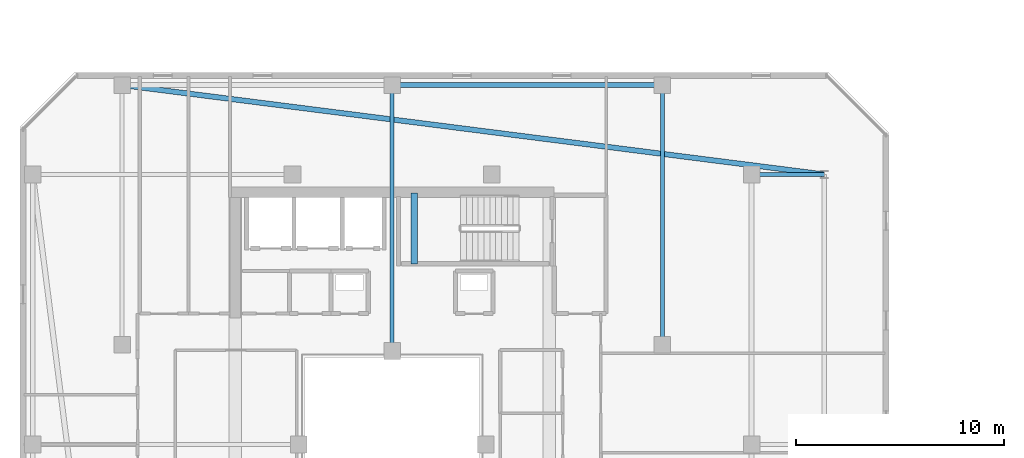
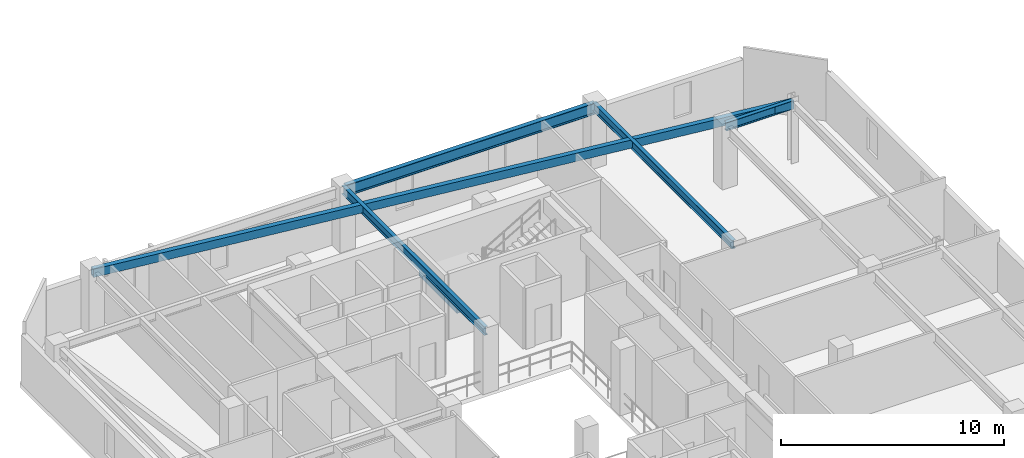
# One storey, part 11 of 35: 6 beams.
"""IFC4 building model written with IfcOpenShell, lengths in metres."""

import ifcopenshell
import ifcopenshell.guid

model = None  # the IFC model being written
_history = None  # IfcOwnerHistory: only IFC2X3 demands one
_inside = {}  # id of a spatial element -> (the spatial element, [elements in it])
_under = {}  # id of a project, library or spatial element -> (it, [spatial elements below it])
_declared = {}  # id of a project -> (the project, [libraries it declares])
_typed = {}  # id of a type object -> (the type object, [elements of that type])
_made_of = {}  # id of a material, layer set ... -> (it, [elements and type objects made of it])


def new_model(schema):
    """Start an empty IFC model of exactly this schema.

    Asked for "IFC4X3", IfcOpenShell would pick the latest addendum, in which some entities
    have other attributes; the version numbers below select the first issue.
    IFC2X3 requires an IfcOwnerHistory on every rooted entity: one is made here for all.
    """
    global model, _history
    if schema == "IFC4X3":
        model = ifcopenshell.file(schema_version=(4, 3, 0, 0))
    else:
        model = ifcopenshell.file(schema=schema)
    _inside.clear()
    _under.clear()
    _declared.clear()
    _typed.clear()
    _made_of.clear()
    _history = None
    if model.schema == "IFC2X3":
        org = make("IfcOrganization", Name="unknown")
        user = make(
            "IfcPersonAndOrganization",
            ThePerson=make("IfcPerson", FamilyName="unknown"),
            TheOrganization=org,
        )
        app = make(
            "IfcApplication",
            ApplicationDeveloper=org,
            Version="unknown",
            ApplicationFullName="unknown",
            ApplicationIdentifier="unknown",
        )
        _history = make(
            "IfcOwnerHistory",
            OwningUser=user,
            OwningApplication=app,
            ChangeAction="ADDED",
            CreationDate=0,
        )
    return model


def make(cls, **values):
    """One entity of the class cls with the attributes given. An attribute that is None is left unset."""
    return model.create_entity(
        cls, **{name: value for name, value in values.items() if value is not None}
    )


def rooted(cls, **values):
    """An entity with a GlobalId (a new one), such as an element, a storey or a relation."""
    return make(cls, GlobalId=ifcopenshell.guid.new(), OwnerHistory=_history, **values)


def si_unit(unit_type, name, prefix=None):
    """IfcSIUnit, for example si_unit("LENGTHUNIT", "METRE", prefix="MILLI")."""
    return make("IfcSIUnit", UnitType=unit_type, Prefix=prefix, Name=name)


def assignment(units):
    """IfcUnitAssignment: the units of a project."""
    return None if units is None else make("IfcUnitAssignment", Units=units)


def point(xyz):
    """IfcCartesianPoint."""
    return None if xyz is None else make("IfcCartesianPoint", Coordinates=xyz)


def direction(xyz):
    """IfcDirection."""
    return None if xyz is None else make("IfcDirection", DirectionRatios=xyz)


def frame(location, z_axis=None, x_axis=None):
    """IfcAxis2Placement3D, a coordinate frame: its origin and axes. An axis left out is left unset."""
    return make(
        "IfcAxis2Placement3D",
        Location=point(location),
        Axis=direction(z_axis),
        RefDirection=direction(x_axis),
    )


def frame_2d(location, x_axis=None):
    """IfcAxis2Placement2D, a coordinate frame in the plane: its origin and x axis."""
    return make(
        "IfcAxis2Placement2D", Location=point(location), RefDirection=direction(x_axis)
    )


def origin():
    """The frame at (0, 0, 0) with its axes left unset."""
    return frame((0.0, 0.0, 0.0))


def origin_2d():
    """The frame at (0, 0) in the plane with its x axis left unset."""
    return frame_2d((0.0, 0.0))


def place(relative_to, where):
    """IfcLocalPlacement: puts the frame where relative to a parent placement (None: the world)."""
    return make(
        "IfcLocalPlacement", PlacementRelTo=relative_to, RelativePlacement=where
    )


def context(
    kind, dimensions, precision=None, world=None, true_north=None, identifier=None
):
    """IfcGeometricRepresentationContext, for example the 3D "Model" context."""
    return make(
        "IfcGeometricRepresentationContext",
        ContextIdentifier=identifier,
        ContextType=kind,
        CoordinateSpaceDimension=dimensions,
        Precision=precision,
        WorldCoordinateSystem=world,
        TrueNorth=true_north,
    )


def subcontext(parent, identifier, kind, view, scale=None):
    """IfcGeometricRepresentationSubContext, for example "Body" below "Model"."""
    return make(
        "IfcGeometricRepresentationSubContext",
        ContextIdentifier=identifier,
        ContextType=kind,
        ParentContext=parent,
        TargetScale=scale,
        TargetView=view,
    )


def project(units=None, contexts=None):
    """IfcProject with its units and contexts."""
    return rooted(
        "IfcProject",
        Name="project",
        RepresentationContexts=contexts,
        UnitsInContext=assignment(units),
    )


def spatial(cls, under=None, at=None, **own):
    """A site, building, storey or space (cls), placed at a placement, below another one or the project."""
    s = rooted(cls, ObjectPlacement=at, **own)
    if under is not None:
        _under.setdefault(under.id(), (under, []))[1].append(s)
    return s


def profile(cls, at=None, kind="AREA", **sizes):
    """A parametric profile (cls). Its sizes go by their IFC names, for example OverallWidth=200.0."""
    return make(cls, ProfileType=kind, Position=at, **sizes)


def rectangle(**sizes):
    """IfcRectangleProfileDef."""
    return profile("IfcRectangleProfileDef", **sizes)


def hollow_rectangle(**sizes):
    """IfcRectangleHollowProfileDef."""
    return profile("IfcRectangleHollowProfileDef", **sizes)


def i_section(**sizes):
    """IfcIShapeProfileDef."""
    return profile("IfcIShapeProfileDef", **sizes)


def extrude(swept, where, along, depth):
    """IfcExtrudedAreaSolid: the profile swept, set in the frame where, extruded along a direction by depth."""
    return make(
        "IfcExtrudedAreaSolid",
        SweptArea=swept,
        Position=where,
        ExtrudedDirection=direction(along),
        Depth=depth,
    )


def shape(context_of_items, identifier, shape_type, items):
    """IfcShapeRepresentation: the items that make up one representation, for example the "Body"."""
    return make(
        "IfcShapeRepresentation",
        ContextOfItems=context_of_items,
        RepresentationIdentifier=identifier,
        RepresentationType=shape_type,
        Items=items,
    )


def material(Name=None, Category=None):
    """IfcMaterial."""
    return make("IfcMaterial", Name=Name, Category=Category)


def material_profile(
    of_material, cross_section, Name=None, Category=None, Priority=None
):
    """IfcMaterialProfile: a cross section and its material."""
    return make(
        "IfcMaterialProfile",
        Name=Name,
        Material=of_material,
        Profile=cross_section,
        Priority=Priority,
        Category=Category,
    )


def profile_set(profiles, Name=None, composite=None):
    """IfcMaterialProfileSet."""
    return make(
        "IfcMaterialProfileSet",
        Name=Name,
        MaterialProfiles=profiles,
        CompositeProfile=composite,
    )


def made_of(thing, what):
    """Note that an element or type object is made of a material, layer set ...; save() writes the relation."""
    if what is not None:
        _made_of.setdefault(what.id(), (what, []))[1].append(thing)
    return thing


def type_object(cls, material=None, **own):
    """A type object (cls), such as IfcWallType, which elements share."""
    return made_of(rooted(cls, **own), material)


def element(
    cls,
    number,
    at=None,
    inside=None,
    cuts=None,
    type_object=None,
    material=None,
    context=None,
    identifier="Body",
    shape_type=None,
    held_by="IfcProductDefinitionShape",
    body=None,
    shapes=None,
    **own,
):
    """One element of the class cls, such as IfcWall. Its Tag is "e" and its number.

    at: its placement. inside: the storey or other place that contains it. cuts: it is an
    opening in that element (IfcRelVoidsElement). A single representation is given by context,
    identifier, shape_type and body (its items); several are given by shapes. held_by: the class
    of the entity that holds the representations. save() writes the other relations.
    """
    e = rooted(cls, Tag="e%d" % number, ObjectPlacement=at, **own)
    if body is not None:
        shapes = [shape(context, identifier, shape_type, body)]
    if shapes is not None:
        e.Representation = make(held_by, Representations=shapes)
    if inside is not None:
        _inside.setdefault(inside.id(), (inside, []))[1].append(e)
    if cuts is not None:
        rooted(
            "IfcRelVoidsElement", RelatingBuildingElement=cuts, RelatedOpeningElement=e
        )
    if type_object is not None:
        _typed.setdefault(type_object.id(), (type_object, []))[1].append(e)
    return made_of(e, material)


def aggregate(whole, parts):
    """IfcRelAggregates: a whole, such as a stair, and the parts it consists of."""
    return rooted("IfcRelAggregates", RelatingObject=whole, RelatedObjects=parts)


def save(model, path):
    """Write the relations noted so far, then the file.

    IfcRelAggregates (storeys below a building ...), IfcRelContainedInSpatialStructure (elements
    in a storey), IfcRelDefinesByType, IfcRelAssociatesMaterial and IfcRelDeclares: one each for
    every whole, place, type object, material and project.
    """
    for whole, parts in _under.values():
        aggregate(whole, parts)
    for where, things in _inside.values():
        rooted(
            "IfcRelContainedInSpatialStructure",
            RelatedElements=things,
            RelatingStructure=where,
        )
    for kind, things in _typed.values():
        rooted("IfcRelDefinesByType", RelatedObjects=things, RelatingType=kind)
    for what, things in _made_of.values():
        rooted("IfcRelAssociatesMaterial", RelatedObjects=things, RelatingMaterial=what)
    for by, libraries in _declared.values():
        rooted("IfcRelDeclares", RelatingContext=by, RelatedDefinitions=libraries)
    model.write(path)


model = new_model("IFC4")

# Units and contexts
model_context = context("Model", 3, precision=1e-05, world=origin(), true_north=direction((0.0, 1.0)))
body_context = subcontext(model_context, "Body", "Model", "MODEL_VIEW")
ifc_project = project(units=[si_unit("LENGTHUNIT", "METRE"), si_unit("AREAUNIT", "SQUARE_METRE"), si_unit("VOLUMEUNIT", "CUBIC_METRE"), si_unit("PLANEANGLEUNIT", "RADIAN"), si_unit("MASSUNIT", "GRAM", prefix="KILO")], contexts=[model_context])

# Site, building, storey
site_placement = place(None, origin())
site = spatial("IfcSite", under=ifc_project, at=site_placement, CompositionType="ELEMENT")
building_placement = place(site_placement, origin())
building = spatial("IfcBuilding", under=site, at=building_placement, Name="Thornwick Lancets Civic Towers", CompositionType="ELEMENT")
storey_placement = place(building_placement, frame((0.0, 0.0, 272.699951171875)))
storey = spatial("IfcBuildingStorey", under=building, at=storey_placement, Name="L73", CompositionType="ELEMENT", Elevation=272.699951171875)

# Beams
ifc_material_1 = material(Name="Steel S355JR", Category="steel")
ifc_material_profile_1 = material_profile(ifc_material_1, i_section(OverallWidth=0.230224609375, OverallDepth=0.6171875, WebThickness=0.01318359375, FlangeThickness=0.022216796875, FilletRadius=0.0126953125, at=origin_2d()), Name="UKB 610x229x140")
ifc_profile_set_1 = profile_set([ifc_material_profile_1], Name="Steel S355JR")
beam_type_1 = type_object("IfcBeamType", Name="BM_GIRD_610_140", PredefinedType="BEAM", material=ifc_profile_set_1)
beam_1_placement = place(storey_placement, frame((25.580078125, 44.300048828125, 3.051513671875), z_axis=(1.0, 0.0, 0.0), x_axis=(0.0, 1.0, 0.0)))
element("IfcBeam", 1, at=beam_1_placement, inside=storey, type_object=beam_type_1, Name="BM-SPINE-L73-A-7-8", PredefinedType="BEAM", context=body_context, shape_type="SweptSolid", body=[
    extrude(i_section(OverallWidth=0.230224609375, OverallDepth=0.6171875, WebThickness=0.01318359375, FlangeThickness=0.022216796875, FilletRadius=0.0126953125, at=origin_2d()), origin(), (0.0, 0.0, 1.0), 12.919921875),
])
ifc_material_profile_2 = material_profile(ifc_material_1, i_section(OverallWidth=0.19189453125, OverallDepth=0.46337890625, WebThickness=0.010498046875, FlangeThickness=0.017578125, FilletRadius=0.01025390625, at=origin_2d()), Name="UKB 457x191x89")
ifc_profile_set_2 = profile_set([ifc_material_profile_2], Name="Steel S355JR")
beam_type_2 = type_object("IfcBeamType", Name="BM_JOIST_457_89", PredefinedType="JOIST", material=ifc_profile_set_2)
beam_2_placement = place(storey_placement, frame((42.800048828125, 40.0, 3.12841796875), z_axis=(1.0, 0.0, 0.0), x_axis=(0.0, 1.0, 0.0)))
element("IfcBeam", 2, at=beam_2_placement, inside=storey, type_object=beam_type_2, Name="BM-RAD-L73-A06", PredefinedType="JOIST", context=body_context, shape_type="SweptSolid", body=[
    extrude(i_section(OverallWidth=0.19189453125, OverallDepth=0.46337890625, WebThickness=0.010498046875, FlangeThickness=0.017578125, FilletRadius=0.01025390625, at=origin_2d()), origin(), (0.0, 0.0, 1.0), 3.5),
])
beam_3_placement = place(storey_placement, frame((25.5, 31.5, 3.12841796875), z_axis=(0.0, 1.0, 0.0), x_axis=(-1.0, 0.0, 0.0)))
element("IfcBeam", 3, at=beam_3_placement, inside=storey, type_object=beam_type_2, Name="BM-RADIN-L73-A08", PredefinedType="JOIST", context=body_context, shape_type="SweptSolid", body=[
    extrude(i_section(OverallWidth=0.19189453125, OverallDepth=0.46337890625, WebThickness=0.010498046875, FlangeThickness=0.017578125, FilletRadius=0.01025390625, at=origin_2d()), origin(), (0.0, 0.0, 1.0), 12.800048828125),
])
beam_4_placement = place(storey_placement, frame((38.5, 31.800048828125, 3.12841796875), z_axis=(0.0, 1.0, 0.0), x_axis=(-1.0, 0.0, 0.0)))
element("IfcBeam", 4, at=beam_4_placement, inside=storey, type_object=beam_type_2, Name="BM-RADIN-L73-A09", PredefinedType="JOIST", context=body_context, shape_type="SweptSolid", body=[
    extrude(i_section(OverallWidth=0.19189453125, OverallDepth=0.46337890625, WebThickness=0.010498046875, FlangeThickness=0.017578125, FilletRadius=0.01025390625, at=origin_2d()), origin(), (0.0, 0.0, 1.0), 12.5),
])
ifc_material_profile_3 = material_profile(ifc_material_1, hollow_rectangle(XDim=0.25, YDim=0.449951171875, WallThickness=0.01611328125, at=origin_2d()), Name="RHS 450x250x16")
ifc_profile_set_3 = profile_set([ifc_material_profile_3], Name="Steel S355JR")
beam_type_3 = type_object("IfcBeamType", Name="BM_RING_RHS450", PredefinedType="BEAM", material=ifc_profile_set_3)
beam_5_placement = place(storey_placement, frame((46.300048828125, 40.0, 3.135009765625), z_axis=(-0.992004437051, 0.126202998662, 0.0), x_axis=(-0.126202998662, -0.992004437051, 0.0)))
element("IfcBeam", 5, at=beam_5_placement, inside=storey, type_object=beam_type_3, Name="BM-CHAMF-L73-A-C1", PredefinedType="BEAM", context=body_context, shape_type="SweptSolid", body=[
    extrude(hollow_rectangle(XDim=0.25, YDim=0.449951171875, WallThickness=0.01611328125, at=origin_2d()), origin(), (0.0, 0.0, 1.0), 34.072509765625),
])
ifc_material_2 = material(Name="Concrete C40/50", Category="concrete")
ifc_material_profile_4 = material_profile(ifc_material_2, rectangle(XDim=0.300048828125, YDim=0.35009765625, at=origin_2d()), Name="RC 300x350")
ifc_profile_set_4 = profile_set([ifc_material_profile_4], Name="Concrete C40/50")
beam_type_4 = type_object("IfcBeamType", Name="BM_STAIR_LDG", PredefinedType="BEAM", material=ifc_profile_set_4)
beam_6_placement = place(storey_placement, frame((26.56494140625, 39.10009765625, 1.3779296875), z_axis=(0.0, -1.0, 0.0), x_axis=(1.0, 0.0, 0.0)))
element("IfcBeam", 6, at=beam_6_placement, inside=storey, type_object=beam_type_4, Name="L73 ST-A2 Landing Support Beam 1", PredefinedType="BEAM", context=body_context, shape_type="SweptSolid", body=[
    extrude(rectangle(XDim=0.300048828125, YDim=0.35009765625, at=origin_2d()), origin(), (0.0, 0.0, 1.0), 3.400146484375),
])

save(model, "model.ifc")
